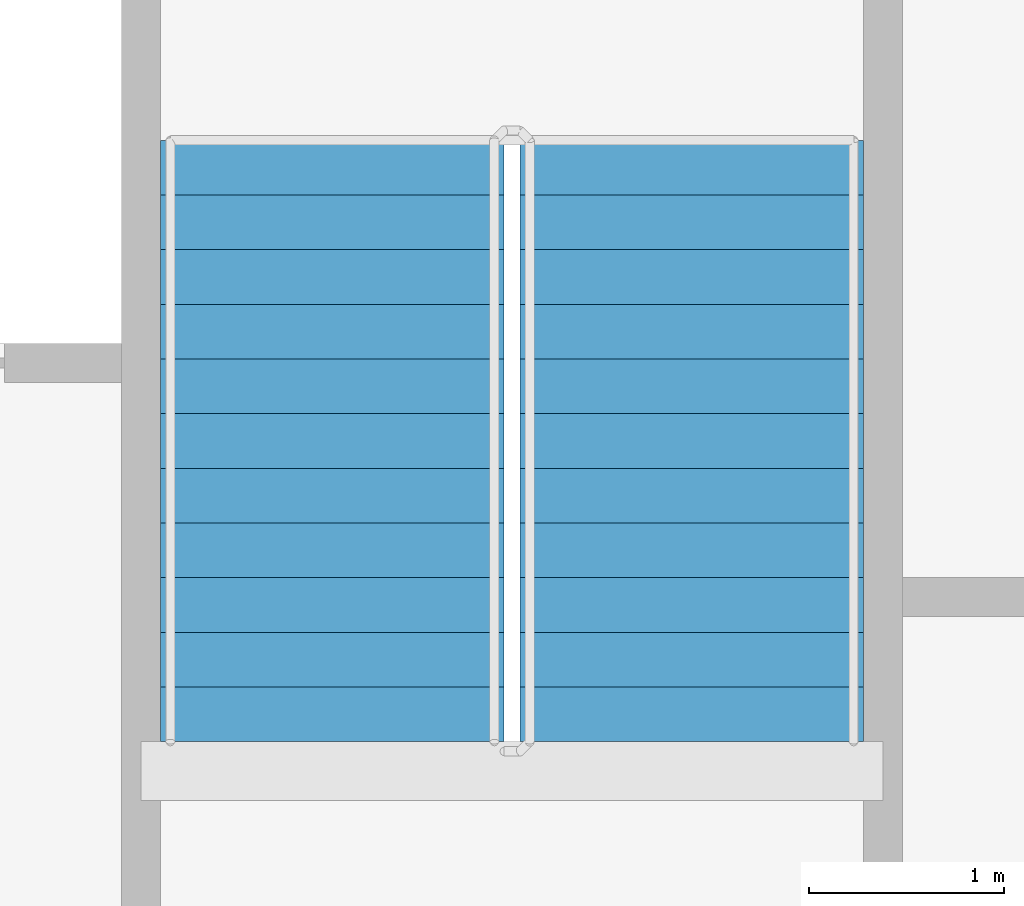
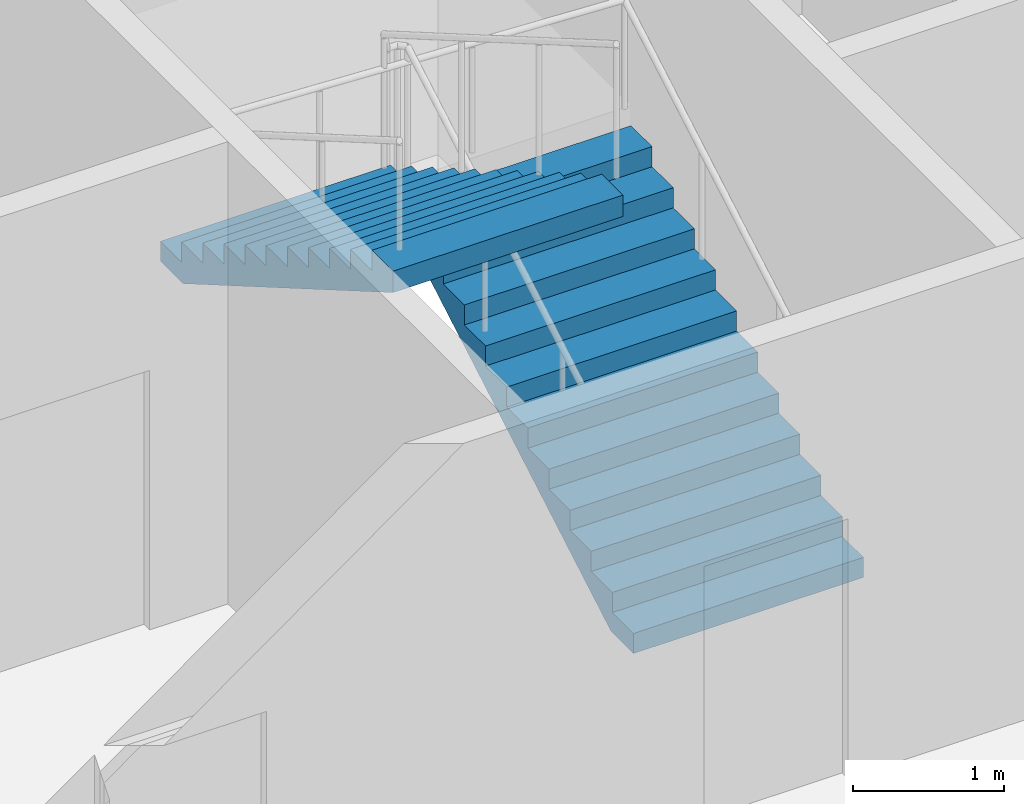
# One storey, part 10 of 16: 2 stair flights, 1 element without a shape of its own.
"""IFC4 building model written with IfcOpenShell, lengths in metres."""

from ifc_helpers import new_model, si_unit, direction, frame, origin, place, context, subcontext, project, spatial, faceted_brep, material, type_object, element, aggregate, save


model = new_model("IFC4")

# Units and contexts
model_context = context("Model", 3, precision=1e-05, world=origin(), true_north=direction((0.0, 1.0)))
body_context = subcontext(model_context, "Body", "Model", "MODEL_VIEW")
ifc_project = project(units=[si_unit("LENGTHUNIT", "METRE"), si_unit("AREAUNIT", "SQUARE_METRE"), si_unit("VOLUMEUNIT", "CUBIC_METRE"), si_unit("PLANEANGLEUNIT", "RADIAN"), si_unit("MASSUNIT", "GRAM", prefix="KILO")], contexts=[model_context])

# Site, building, storey
site_placement = place(None, origin())
site = spatial("IfcSite", under=ifc_project, at=site_placement, CompositionType="ELEMENT")
building_placement = place(site_placement, origin())
building = spatial("IfcBuilding", under=site, at=building_placement, Name="Tarsis Ring Headquarters", CompositionType="ELEMENT")
storey_placement = place(building_placement, frame((0.0, 0.0, 96.699951171875)))
storey = spatial("IfcBuildingStorey", under=building, at=storey_placement, Name="L21", CompositionType="ELEMENT", Elevation=96.699951171875)

# Stair, stair flights
ifc_material_1 = material(Name="Core stair 1760")
stair_type = type_object("IfcStairType", Name="Core stair 1760", PredefinedType="HALF_TURN_STAIR", material=ifc_material_1)
stair_placement = place(storey_placement, origin())
stair = element("IfcStair", 1, at=stair_placement, inside=storey, type_object=stair_type, Name="L21 Exit stair B", PredefinedType="HALF_TURN_STAIR")
ifc_material_2 = material(Name="Concrete C40/50", Category="concrete")
stair_flight_type = type_object("IfcStairFlightType", Name="Core stair flight 1760", PredefinedType="STRAIGHT", material=ifc_material_2)
stair_flight_1_placement = place(storey_placement, frame((5.419921875, 3.659912109375, 0.0), z_axis=(0.0, 0.0, 1.0), x_axis=(0.0, 1.0, 0.0)))
stair_flight_1 = element("IfcStairFlight", 2, at=stair_flight_1_placement, type_object=stair_flight_type, Name="Stair ST2 flight 1", NumberOfRisers=12, NumberOfTreads=11, PredefinedType="STRAIGHT", RiserHeight=0.1625, TreadLength=0.28, context=body_context, shape_type="Brep", body=[
    faceted_brep([(0.0, 0.8798828125, 0.0), (0.0, 0.8798828125, 0.16259765625), (0.280029296875, 0.8798828125, 0.16259765625), (0.280029296875, 0.8798828125, 0.324951171875), (0.56005859375, 0.8798828125, 0.324951171875), (0.56005859375, 0.8798828125, 0.487548828125), (0.840087890625, 0.8798828125, 0.487548828125), (0.840087890625, 0.8798828125, 0.64990234375), (1.1201171875, 0.8798828125, 0.64990234375), (1.1201171875, 0.8798828125, 0.8125), (1.39990234375, 0.8798828125, 0.8125), (1.39990234375, 0.8798828125, 0.97509765625), (1.679931640625, 0.8798828125, 0.97509765625), (1.679931640625, 0.8798828125, 1.137451171875), (1.9599609375, 0.8798828125, 1.137451171875), (1.9599609375, 0.8798828125, 1.300048828125), (2.239990234375, 0.8798828125, 1.300048828125), (2.239990234375, 0.8798828125, 1.46240234375), (2.52001953125, 0.8798828125, 1.46240234375), (2.52001953125, 0.8798828125, 1.625), (2.800048828125, 0.8798828125, 1.625), (2.800048828125, 0.8798828125, 1.78759765625), (3.080078125, 0.8798828125, 1.78759765625), (3.080078125, 0.8798828125, 1.6142578125), (0.298583984375, 0.8798828125, 0.0), (0.298583984375, -0.8798828125, 0.0), (3.080078125, -0.8798828125, 1.6142578125), (3.080078125, -0.8798828125, 1.78759765625), (2.800048828125, -0.8798828125, 1.78759765625), (2.800048828125, -0.8798828125, 1.625), (2.52001953125, -0.8798828125, 1.625), (2.52001953125, -0.8798828125, 1.46240234375), (2.239990234375, -0.8798828125, 1.46240234375), (2.239990234375, -0.8798828125, 1.300048828125), (1.9599609375, -0.8798828125, 1.300048828125), (1.9599609375, -0.8798828125, 1.137451171875), (1.679931640625, -0.8798828125, 1.137451171875), (1.679931640625, -0.8798828125, 0.97509765625), (1.39990234375, -0.8798828125, 0.97509765625), (1.39990234375, -0.8798828125, 0.8125), (1.1201171875, -0.8798828125, 0.8125), (1.1201171875, -0.8798828125, 0.64990234375), (0.840087890625, -0.8798828125, 0.64990234375), (0.840087890625, -0.8798828125, 0.487548828125), (0.56005859375, -0.8798828125, 0.487548828125), (0.56005859375, -0.8798828125, 0.324951171875), (0.280029296875, -0.8798828125, 0.324951171875), (0.280029296875, -0.8798828125, 0.16259765625), (0.0, -0.8798828125, 0.16259765625), (0.0, -0.8798828125, 0.0), (0.0, -0.43994140625, 0.16259765625), (0.0, -0.43994140625, 0.0), (0.0, 0.0, 0.16259765625), (0.0, 0.0, 0.0), (0.0, 0.43994140625, 0.16259765625), (0.0, 0.43994140625, 0.0), (0.280029296875, -0.43994140625, 0.16259765625), (0.280029296875, 0.0, 0.16259765625), (0.280029296875, 0.43994140625, 0.16259765625), (0.280029296875, -0.43994140625, 0.324951171875), (0.280029296875, 0.0, 0.324951171875), (0.280029296875, 0.43994140625, 0.324951171875), (0.56005859375, -0.43994140625, 0.324951171875), (0.56005859375, 0.0, 0.324951171875), (0.56005859375, 0.43994140625, 0.324951171875), (0.56005859375, -0.43994140625, 0.487548828125), (0.56005859375, 0.0, 0.487548828125), (0.56005859375, 0.43994140625, 0.487548828125), (0.840087890625, -0.43994140625, 0.487548828125), (0.840087890625, 0.0, 0.487548828125), (0.840087890625, 0.43994140625, 0.487548828125), (0.840087890625, -0.43994140625, 0.64990234375), (0.840087890625, 0.0, 0.64990234375), (0.840087890625, 0.43994140625, 0.64990234375), (1.1201171875, -0.43994140625, 0.64990234375), (1.1201171875, 0.0, 0.64990234375), (1.1201171875, 0.43994140625, 0.64990234375), (1.1201171875, -0.43994140625, 0.8125), (1.1201171875, 0.0, 0.8125), (1.1201171875, 0.43994140625, 0.8125), (1.39990234375, -0.43994140625, 0.8125), (1.39990234375, 0.0, 0.8125), (1.39990234375, 0.43994140625, 0.8125), (1.39990234375, -0.43994140625, 0.97509765625), (1.39990234375, 0.0, 0.97509765625), (1.39990234375, 0.43994140625, 0.97509765625), (1.679931640625, -0.43994140625, 0.97509765625), (1.679931640625, 0.0, 0.97509765625), (1.679931640625, 0.43994140625, 0.97509765625), (1.679931640625, -0.43994140625, 1.137451171875), (1.679931640625, 0.0, 1.137451171875), (1.679931640625, 0.43994140625, 1.137451171875), (1.9599609375, -0.43994140625, 1.137451171875), (1.9599609375, 0.0, 1.137451171875), (1.9599609375, 0.43994140625, 1.137451171875), (1.9599609375, -0.43994140625, 1.300048828125), (1.9599609375, 0.0, 1.300048828125), (1.9599609375, 0.43994140625, 1.300048828125), (2.239990234375, -0.43994140625, 1.300048828125), (2.239990234375, 0.0, 1.300048828125), (2.239990234375, 0.43994140625, 1.300048828125), (2.239990234375, -0.43994140625, 1.46240234375), (2.239990234375, 0.0, 1.46240234375), (2.239990234375, 0.43994140625, 1.46240234375), (2.52001953125, -0.43994140625, 1.46240234375), (2.52001953125, 0.0, 1.46240234375), (2.52001953125, 0.43994140625, 1.46240234375), (2.52001953125, -0.43994140625, 1.625), (2.52001953125, 0.0, 1.625), (2.52001953125, 0.43994140625, 1.625), (2.800048828125, -0.43994140625, 1.625), (2.800048828125, 0.0, 1.625), (2.800048828125, 0.43994140625, 1.625), (2.800048828125, -0.43994140625, 1.78759765625), (2.800048828125, 0.0, 1.78759765625), (2.800048828125, 0.43994140625, 1.78759765625), (3.080078125, -0.43994140625, 1.78759765625), (3.080078125, 0.0, 1.78759765625), (3.080078125, 0.43994140625, 1.78759765625), (3.080078125, -0.43994140625, 1.6142578125), (3.080078125, 0.0, 1.6142578125), (3.080078125, 0.43994140625, 1.6142578125), (0.298583984375, -0.43994140625, 0.0), (0.298583984375, 0.0, 0.0), (0.298583984375, 0.43994140625, 0.0)], [[[0, 1, 2, 3, 4, 5, 6, 7, 8, 9, 10, 11, 12, 13, 14, 15, 16, 17, 18, 19, 20, 21, 22, 23, 24]], [[25, 26, 27, 28, 29, 30, 31, 32, 33, 34, 35, 36, 37, 38, 39, 40, 41, 42, 43, 44, 45, 46, 47, 48, 49]], [[49, 48, 50, 51]], [[51, 50, 52, 53]], [[53, 52, 54, 55]], [[55, 54, 1, 0]], [[48, 47, 56, 50]], [[50, 56, 57, 52]], [[52, 57, 58, 54]], [[54, 58, 2, 1]], [[47, 46, 59, 56]], [[56, 59, 60, 57]], [[57, 60, 61, 58]], [[58, 61, 3, 2]], [[46, 45, 62, 59]], [[59, 62, 63, 60]], [[60, 63, 64, 61]], [[61, 64, 4, 3]], [[45, 44, 65, 62]], [[62, 65, 66, 63]], [[63, 66, 67, 64]], [[64, 67, 5, 4]], [[44, 43, 68, 65]], [[65, 68, 69, 66]], [[66, 69, 70, 67]], [[67, 70, 6, 5]], [[43, 42, 71, 68]], [[68, 71, 72, 69]], [[69, 72, 73, 70]], [[70, 73, 7, 6]], [[42, 41, 74, 71]], [[71, 74, 75, 72]], [[72, 75, 76, 73]], [[73, 76, 8, 7]], [[41, 40, 77, 74]], [[74, 77, 78, 75]], [[75, 78, 79, 76]], [[76, 79, 9, 8]], [[40, 39, 80, 77]], [[77, 80, 81, 78]], [[78, 81, 82, 79]], [[79, 82, 10, 9]], [[39, 38, 83, 80]], [[80, 83, 84, 81]], [[81, 84, 85, 82]], [[82, 85, 11, 10]], [[38, 37, 86, 83]], [[83, 86, 87, 84]], [[84, 87, 88, 85]], [[85, 88, 12, 11]], [[37, 36, 89, 86]], [[86, 89, 90, 87]], [[87, 90, 91, 88]], [[88, 91, 13, 12]], [[36, 35, 92, 89]], [[89, 92, 93, 90]], [[90, 93, 94, 91]], [[91, 94, 14, 13]], [[35, 34, 95, 92]], [[92, 95, 96, 93]], [[93, 96, 97, 94]], [[94, 97, 15, 14]], [[34, 33, 98, 95]], [[95, 98, 99, 96]], [[96, 99, 100, 97]], [[97, 100, 16, 15]], [[33, 32, 101, 98]], [[98, 101, 102, 99]], [[99, 102, 103, 100]], [[100, 103, 17, 16]], [[32, 31, 104, 101]], [[101, 104, 105, 102]], [[102, 105, 106, 103]], [[103, 106, 18, 17]], [[31, 30, 107, 104]], [[104, 107, 108, 105]], [[105, 108, 109, 106]], [[106, 109, 19, 18]], [[30, 29, 110, 107]], [[107, 110, 111, 108]], [[108, 111, 112, 109]], [[109, 112, 20, 19]], [[29, 28, 113, 110]], [[110, 113, 114, 111]], [[111, 114, 115, 112]], [[112, 115, 21, 20]], [[28, 27, 116, 113]], [[113, 116, 117, 114]], [[114, 117, 118, 115]], [[115, 118, 22, 21]], [[27, 26, 119, 116]], [[116, 119, 120, 117]], [[117, 120, 121, 118]], [[118, 121, 23, 22]], [[26, 25, 122, 119]], [[119, 122, 123, 120]], [[120, 123, 124, 121]], [[121, 124, 24, 23]], [[25, 49, 51, 122]], [[122, 51, 53, 123]], [[123, 53, 55, 124]], [[124, 55, 0, 24]]]),
])
stair_flight_2_placement = place(storey_placement, frame((3.580078125, 6.739990234375, 1.949951171875), z_axis=(0.0, 0.0, 1.0), x_axis=(0.0, -1.0, 0.0)))
stair_flight_2 = element("IfcStairFlight", 3, at=stair_flight_2_placement, type_object=stair_flight_type, Name="Stair ST2 flight 2", NumberOfRisers=12, NumberOfTreads=11, PredefinedType="STRAIGHT", RiserHeight=0.1625, TreadLength=0.28, context=body_context, shape_type="Brep", body=[
    faceted_brep([(0.0, 0.8798828125, 0.0), (0.0, 0.8798828125, 0.16259765625), (0.280029296875, 0.8798828125, 0.16259765625), (0.280029296875, 0.8798828125, 0.324951171875), (0.56005859375, 0.8798828125, 0.324951171875), (0.56005859375, 0.8798828125, 0.487548828125), (0.840087890625, 0.8798828125, 0.487548828125), (0.840087890625, 0.8798828125, 0.64990234375), (1.1201171875, 0.8798828125, 0.64990234375), (1.1201171875, 0.8798828125, 0.8125), (1.39990234375, 0.8798828125, 0.8125), (1.39990234375, 0.8798828125, 0.97509765625), (1.679931640625, 0.8798828125, 0.97509765625), (1.679931640625, 0.8798828125, 1.137451171875), (1.9599609375, 0.8798828125, 1.137451171875), (1.9599609375, 0.8798828125, 1.300048828125), (2.239990234375, 0.8798828125, 1.300048828125), (2.239990234375, 0.8798828125, 1.46240234375), (2.52001953125, 0.8798828125, 1.46240234375), (2.52001953125, 0.8798828125, 1.625), (2.800048828125, 0.8798828125, 1.625), (2.800048828125, 0.8798828125, 1.78759765625), (3.080078125, 0.8798828125, 1.78759765625), (3.080078125, 0.8798828125, 1.6142578125), (0.298583984375, 0.8798828125, 0.0), (0.298583984375, -0.8798828125, 0.0), (3.080078125, -0.8798828125, 1.6142578125), (3.080078125, -0.8798828125, 1.78759765625), (2.800048828125, -0.8798828125, 1.78759765625), (2.800048828125, -0.8798828125, 1.625), (2.52001953125, -0.8798828125, 1.625), (2.52001953125, -0.8798828125, 1.46240234375), (2.239990234375, -0.8798828125, 1.46240234375), (2.239990234375, -0.8798828125, 1.300048828125), (1.9599609375, -0.8798828125, 1.300048828125), (1.9599609375, -0.8798828125, 1.137451171875), (1.679931640625, -0.8798828125, 1.137451171875), (1.679931640625, -0.8798828125, 0.97509765625), (1.39990234375, -0.8798828125, 0.97509765625), (1.39990234375, -0.8798828125, 0.8125), (1.1201171875, -0.8798828125, 0.8125), (1.1201171875, -0.8798828125, 0.64990234375), (0.840087890625, -0.8798828125, 0.64990234375), (0.840087890625, -0.8798828125, 0.487548828125), (0.56005859375, -0.8798828125, 0.487548828125), (0.56005859375, -0.8798828125, 0.324951171875), (0.280029296875, -0.8798828125, 0.324951171875), (0.280029296875, -0.8798828125, 0.16259765625), (0.0, -0.8798828125, 0.16259765625), (0.0, -0.8798828125, 0.0), (0.0, -0.43994140625, 0.16259765625), (0.0, -0.43994140625, 0.0), (0.0, 0.0, 0.16259765625), (0.0, 0.0, 0.0), (0.0, 0.43994140625, 0.16259765625), (0.0, 0.43994140625, 0.0), (0.280029296875, -0.43994140625, 0.16259765625), (0.280029296875, 0.0, 0.16259765625), (0.280029296875, 0.43994140625, 0.16259765625), (0.280029296875, -0.43994140625, 0.324951171875), (0.280029296875, 0.0, 0.324951171875), (0.280029296875, 0.43994140625, 0.324951171875), (0.56005859375, -0.43994140625, 0.324951171875), (0.56005859375, 0.0, 0.324951171875), (0.56005859375, 0.43994140625, 0.324951171875), (0.56005859375, -0.43994140625, 0.487548828125), (0.56005859375, 0.0, 0.487548828125), (0.56005859375, 0.43994140625, 0.487548828125), (0.840087890625, -0.43994140625, 0.487548828125), (0.840087890625, 0.0, 0.487548828125), (0.840087890625, 0.43994140625, 0.487548828125), (0.840087890625, -0.43994140625, 0.64990234375), (0.840087890625, 0.0, 0.64990234375), (0.840087890625, 0.43994140625, 0.64990234375), (1.1201171875, -0.43994140625, 0.64990234375), (1.1201171875, 0.0, 0.64990234375), (1.1201171875, 0.43994140625, 0.64990234375), (1.1201171875, -0.43994140625, 0.8125), (1.1201171875, 0.0, 0.8125), (1.1201171875, 0.43994140625, 0.8125), (1.39990234375, -0.43994140625, 0.8125), (1.39990234375, 0.0, 0.8125), (1.39990234375, 0.43994140625, 0.8125), (1.39990234375, -0.43994140625, 0.97509765625), (1.39990234375, 0.0, 0.97509765625), (1.39990234375, 0.43994140625, 0.97509765625), (1.679931640625, -0.43994140625, 0.97509765625), (1.679931640625, 0.0, 0.97509765625), (1.679931640625, 0.43994140625, 0.97509765625), (1.679931640625, -0.43994140625, 1.137451171875), (1.679931640625, 0.0, 1.137451171875), (1.679931640625, 0.43994140625, 1.137451171875), (1.9599609375, -0.43994140625, 1.137451171875), (1.9599609375, 0.0, 1.137451171875), (1.9599609375, 0.43994140625, 1.137451171875), (1.9599609375, -0.43994140625, 1.300048828125), (1.9599609375, 0.0, 1.300048828125), (1.9599609375, 0.43994140625, 1.300048828125), (2.239990234375, -0.43994140625, 1.300048828125), (2.239990234375, 0.0, 1.300048828125), (2.239990234375, 0.43994140625, 1.300048828125), (2.239990234375, -0.43994140625, 1.46240234375), (2.239990234375, 0.0, 1.46240234375), (2.239990234375, 0.43994140625, 1.46240234375), (2.52001953125, -0.43994140625, 1.46240234375), (2.52001953125, 0.0, 1.46240234375), (2.52001953125, 0.43994140625, 1.46240234375), (2.52001953125, -0.43994140625, 1.625), (2.52001953125, 0.0, 1.625), (2.52001953125, 0.43994140625, 1.625), (2.800048828125, -0.43994140625, 1.625), (2.800048828125, 0.0, 1.625), (2.800048828125, 0.43994140625, 1.625), (2.800048828125, -0.43994140625, 1.78759765625), (2.800048828125, 0.0, 1.78759765625), (2.800048828125, 0.43994140625, 1.78759765625), (3.080078125, -0.43994140625, 1.78759765625), (3.080078125, 0.0, 1.78759765625), (3.080078125, 0.43994140625, 1.78759765625), (3.080078125, -0.43994140625, 1.6142578125), (3.080078125, 0.0, 1.6142578125), (3.080078125, 0.43994140625, 1.6142578125), (0.298583984375, -0.43994140625, 0.0), (0.298583984375, 0.0, 0.0), (0.298583984375, 0.43994140625, 0.0)], [[[0, 1, 2, 3, 4, 5, 6, 7, 8, 9, 10, 11, 12, 13, 14, 15, 16, 17, 18, 19, 20, 21, 22, 23, 24]], [[25, 26, 27, 28, 29, 30, 31, 32, 33, 34, 35, 36, 37, 38, 39, 40, 41, 42, 43, 44, 45, 46, 47, 48, 49]], [[49, 48, 50, 51]], [[51, 50, 52, 53]], [[53, 52, 54, 55]], [[55, 54, 1, 0]], [[48, 47, 56, 50]], [[50, 56, 57, 52]], [[52, 57, 58, 54]], [[54, 58, 2, 1]], [[47, 46, 59, 56]], [[56, 59, 60, 57]], [[57, 60, 61, 58]], [[58, 61, 3, 2]], [[46, 45, 62, 59]], [[59, 62, 63, 60]], [[60, 63, 64, 61]], [[61, 64, 4, 3]], [[45, 44, 65, 62]], [[62, 65, 66, 63]], [[63, 66, 67, 64]], [[64, 67, 5, 4]], [[44, 43, 68, 65]], [[65, 68, 69, 66]], [[66, 69, 70, 67]], [[67, 70, 6, 5]], [[43, 42, 71, 68]], [[68, 71, 72, 69]], [[69, 72, 73, 70]], [[70, 73, 7, 6]], [[42, 41, 74, 71]], [[71, 74, 75, 72]], [[72, 75, 76, 73]], [[73, 76, 8, 7]], [[41, 40, 77, 74]], [[74, 77, 78, 75]], [[75, 78, 79, 76]], [[76, 79, 9, 8]], [[40, 39, 80, 77]], [[77, 80, 81, 78]], [[78, 81, 82, 79]], [[79, 82, 10, 9]], [[39, 38, 83, 80]], [[80, 83, 84, 81]], [[81, 84, 85, 82]], [[82, 85, 11, 10]], [[38, 37, 86, 83]], [[83, 86, 87, 84]], [[84, 87, 88, 85]], [[85, 88, 12, 11]], [[37, 36, 89, 86]], [[86, 89, 90, 87]], [[87, 90, 91, 88]], [[88, 91, 13, 12]], [[36, 35, 92, 89]], [[89, 92, 93, 90]], [[90, 93, 94, 91]], [[91, 94, 14, 13]], [[35, 34, 95, 92]], [[92, 95, 96, 93]], [[93, 96, 97, 94]], [[94, 97, 15, 14]], [[34, 33, 98, 95]], [[95, 98, 99, 96]], [[96, 99, 100, 97]], [[97, 100, 16, 15]], [[33, 32, 101, 98]], [[98, 101, 102, 99]], [[99, 102, 103, 100]], [[100, 103, 17, 16]], [[32, 31, 104, 101]], [[101, 104, 105, 102]], [[102, 105, 106, 103]], [[103, 106, 18, 17]], [[31, 30, 107, 104]], [[104, 107, 108, 105]], [[105, 108, 109, 106]], [[106, 109, 19, 18]], [[30, 29, 110, 107]], [[107, 110, 111, 108]], [[108, 111, 112, 109]], [[109, 112, 20, 19]], [[29, 28, 113, 110]], [[110, 113, 114, 111]], [[111, 114, 115, 112]], [[112, 115, 21, 20]], [[28, 27, 116, 113]], [[113, 116, 117, 114]], [[114, 117, 118, 115]], [[115, 118, 22, 21]], [[27, 26, 119, 116]], [[116, 119, 120, 117]], [[117, 120, 121, 118]], [[118, 121, 23, 22]], [[26, 25, 122, 119]], [[119, 122, 123, 120]], [[120, 123, 124, 121]], [[121, 124, 24, 23]], [[25, 49, 51, 122]], [[122, 51, 53, 123]], [[123, 53, 55, 124]], [[124, 55, 0, 24]]]),
])
aggregate(stair, [stair_flight_1, stair_flight_2])

save(model, "model.ifc")
